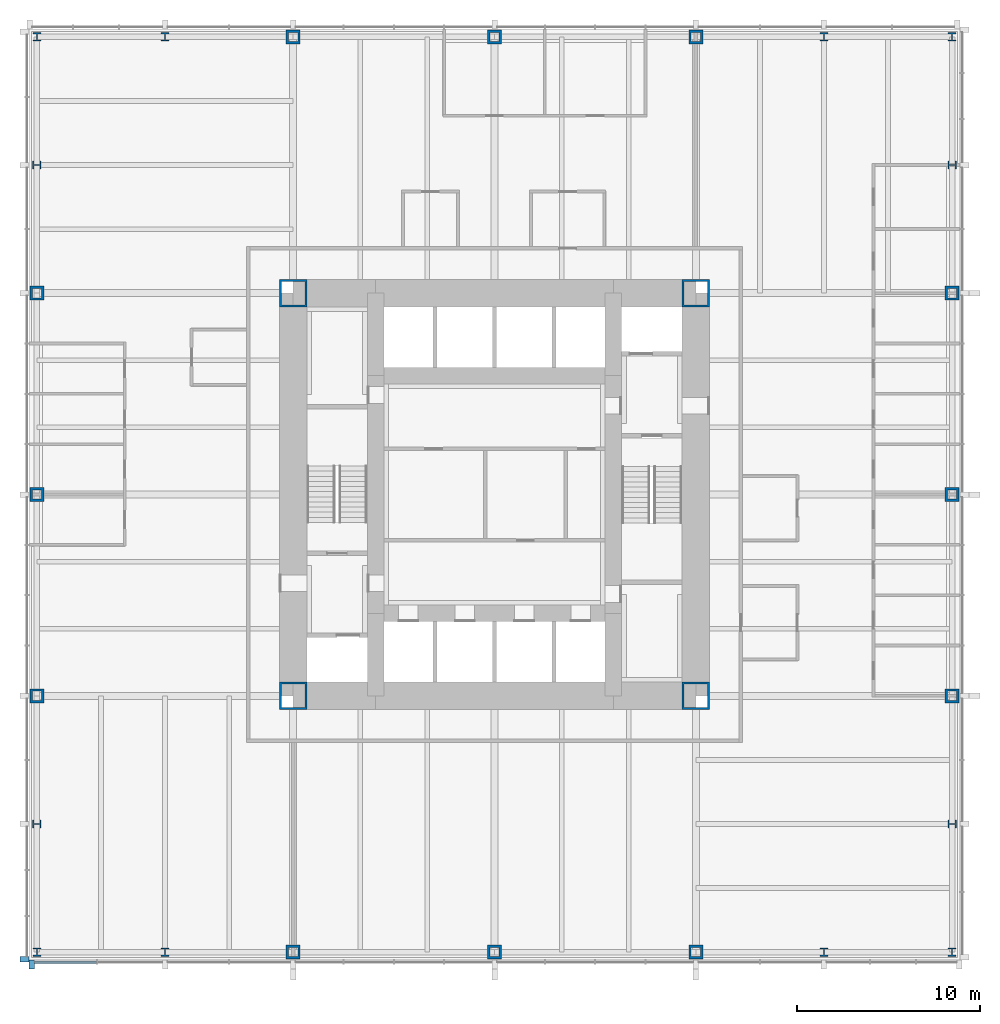
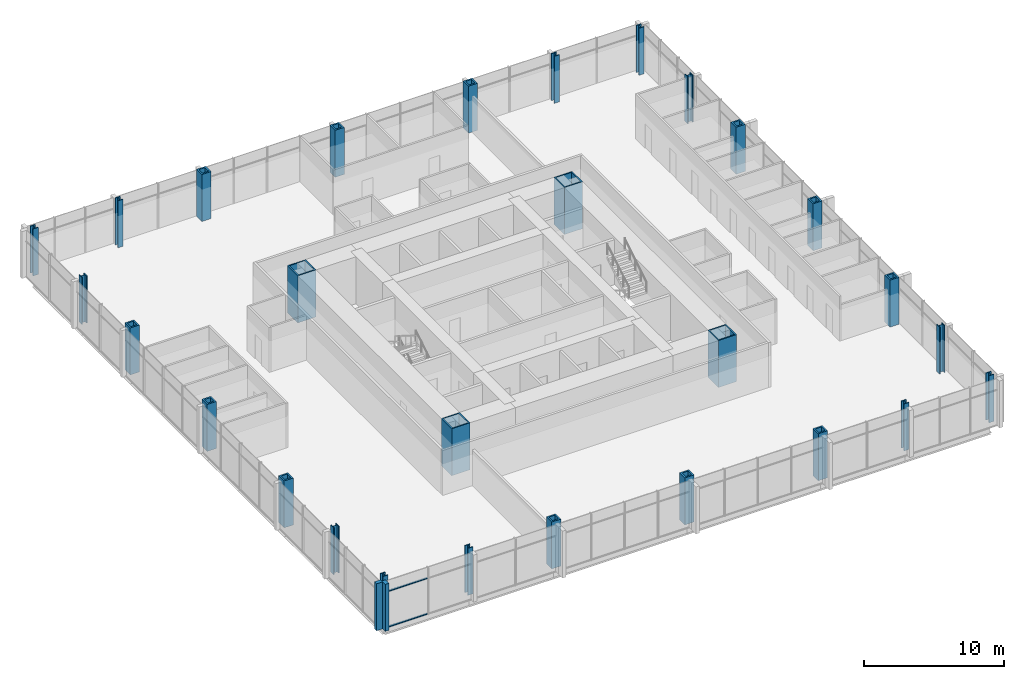
# One storey, part 1 of 12: 28 columns, 4 members, 2 elements without a shape of their own.
"""IFC4 building model written with IfcOpenShell, lengths in metres."""

from ifc_helpers import new_model, si_unit, direction, frame, origin, origin_2d, place, context, subcontext, project, spatial, rectangle, hollow_rectangle, i_section, extrude, material, material_profile, profile_set, type_object, element, aggregate, save


model = new_model("IFC4")

# Units and contexts
model_context = context("Model", 3, precision=1e-05, world=origin(), true_north=direction((0.0, 1.0)))
body_context = subcontext(model_context, "Body", "Model", "MODEL_VIEW")
ifc_project = project(units=[si_unit("LENGTHUNIT", "METRE"), si_unit("AREAUNIT", "SQUARE_METRE"), si_unit("VOLUMEUNIT", "CUBIC_METRE"), si_unit("PLANEANGLEUNIT", "RADIAN"), si_unit("MASSUNIT", "GRAM", prefix="KILO")], contexts=[model_context])

# Site, building, storey
site_placement = place(None, origin())
site = spatial("IfcSite", under=ifc_project, at=site_placement, CompositionType="ELEMENT")
building_placement = place(site_placement, origin())
building = spatial("IfcBuilding", under=site, at=building_placement, Name="Trevanion Tower", CompositionType="ELEMENT")
storey_placement = place(building_placement, frame((0.0, 0.0, 52.89990234375)))
storey = spatial("IfcBuildingStorey", under=building, at=storey_placement, Name="L12", CompositionType="ELEMENT", Elevation=52.89990234375)

# Columns
ifc_material_1 = material(Name="Steel ASTM A588 Grade 50", Category="steel")
ifc_material_profile_1 = material_profile(ifc_material_1, hollow_rectangle(XDim=0.761962890625, YDim=0.761962890625, WallThickness=0.126953125, at=origin_2d()), Name="BOX30X30X5")
ifc_profile_set_1 = profile_set([ifc_material_profile_1], Name="Steel ASTM A588 Grade 50")
column_type_1 = type_object("IfcColumnType", Name="C1 BOX30X30X5", PredefinedType="COLUMN", material=ifc_profile_set_1)
for number, where, z_axis, x_axis, name in (
    (1, (-25.0, 0.0, 0.0), (0.0, 0.0, 1.0), (0.0, 1.0, 0.0), "C1 3/H L12"),
    (2, (-25.0, -11.0, 0.0), (0.0, 0.0, 1.0), (0.0, 1.0, 0.0), "C1 3/F L12"),
    (3, (-11.0, -25.0, 0.0), (0.0, 0.0, 1.0), (1.0, 0.0, 0.0), "C1 8/A L12"),
    (4, (0.0, -25.0, 0.0), (0.0, 0.0, 1.0), (1.0, 0.0, 0.0), "C1 10/A L12"),
    (5, (11.0, -25.0, 0.0), (0.0, 0.0, 1.0), (1.0, 0.0, 0.0), "C1 12/A L12"),
    (6, (25.0, -11.0, 0.0), (0.0, 0.0, 1.0), (0.0, 1.0, 0.0), "C1 17/F L12"),
    (7, (25.0, 0.0, 0.0), (0.0, 0.0, 1.0), (0.0, 1.0, 0.0), "C1 17/H L12"),
    (8, (25.0, 11.0, 0.0), (0.0, 0.0, 1.0), (0.0, 1.0, 0.0), "C1 17/K L12"),
    (9, (11.0, 25.0, 0.0), (0.0, 0.0, 1.0), (1.0, 0.0, 0.0), "C1 12/Q L12"),
    (10, (0.0, 25.0, 0.0), (0.0, 0.0, 1.0), (1.0, 0.0, 0.0), "C1 10/Q L12"),
    (11, (-11.0, 25.0, 0.0), (0.0, 0.0, 1.0), (1.0, 0.0, 0.0), "C1 8/Q L12"),
    (12, (-25.0, 11.0, 0.0), (0.0, 0.0, 1.0), (0.0, 1.0, 0.0), "C1 3/K L12"),
):
    element("IfcColumn", number, at=place(storey_placement, frame(where, z_axis=z_axis, x_axis=x_axis)), inside=storey, type_object=column_type_1, Name=name, PredefinedType="COLUMN", context=body_context, shape_type="SweptSolid", body=[
        extrude(hollow_rectangle(XDim=0.761962890625, YDim=0.761962890625, WallThickness=0.126953125, at=origin_2d()), origin(), (0.0, 0.0, 1.0), 4.10009765625),
    ])
ifc_material_2 = material(Name="Steel ASTM A913 Grade 65", Category="steel")
ifc_material_profile_2 = material_profile(ifc_material_2, i_section(OverallWidth=0.421630859375, OverallDepth=0.46484375, WebThickness=0.044921875, FlangeThickness=0.072509765625, at=origin_2d()), Name="W14X398")
ifc_profile_set_2 = profile_set([ifc_material_profile_2], Name="Steel ASTM A913 Grade 65")
column_type_2 = type_object("IfcColumnType", Name="C2 W14X398", PredefinedType="COLUMN", material=ifc_profile_set_2)
for number, where, z_axis, x_axis, name in (
    (13, (-25.0, -18.0, 0.0), (0.0, 0.0, 1.0), (0.0, 1.0, 0.0), "C2 3/D L12"),
    (14, (-25.0, -25.0, 0.0), (0.0, 0.0, 1.0), (1.0, 0.0, 0.0), "C2 3/A L12"),
    (15, (-18.0, -25.0, 0.0), (0.0, 0.0, 1.0), (1.0, 0.0, 0.0), "C2 6/A L12"),
    (16, (18.0, -25.0, 0.0), (0.0, 0.0, 1.0), (1.0, 0.0, 0.0), "C2 14/A L12"),
    (17, (25.0, -25.0, 0.0), (0.0, 0.0, 1.0), (1.0, 0.0, 0.0), "C2 17/A L12"),
    (18, (25.0, -18.0, 0.0), (0.0, 0.0, 1.0), (0.0, 1.0, 0.0), "C2 17/D L12"),
    (19, (25.0, 18.0, 0.0), (0.0, 0.0, 1.0), (0.0, 1.0, 0.0), "C2 17/M L12"),
    (20, (25.0, 25.0, 0.0), (0.0, 0.0, 1.0), (1.0, 0.0, 0.0), "C2 17/Q L12"),
    (21, (18.0, 25.0, 0.0), (0.0, 0.0, 1.0), (1.0, 0.0, 0.0), "C2 14/Q L12"),
    (22, (-18.0, 25.0, 0.0), (0.0, 0.0, 1.0), (1.0, 0.0, 0.0), "C2 6/Q L12"),
    (23, (-25.0, 25.0, 0.0), (0.0, 0.0, 1.0), (1.0, 0.0, 0.0), "C2 3/Q L12"),
    (24, (-25.0, 18.0, 0.0), (0.0, 0.0, 1.0), (0.0, 1.0, 0.0), "C2 3/M L12"),
):
    element("IfcColumn", number, at=place(storey_placement, frame(where, z_axis=z_axis, x_axis=x_axis)), inside=storey, type_object=column_type_2, Name=name, PredefinedType="COLUMN", context=body_context, shape_type="SweptSolid", body=[
        extrude(i_section(OverallWidth=0.421630859375, OverallDepth=0.46484375, WebThickness=0.044921875, FlangeThickness=0.072509765625, at=origin_2d()), origin(), (0.0, 0.0, 1.0), 4.10009765625),
    ])
ifc_material_3 = material(Name="Steel ASTM A572 Grade 50", Category="steel")
ifc_material_profile_3 = material_profile(ifc_material_3, hollow_rectangle(XDim=1.49853515625, YDim=1.49853515625, WallThickness=0.1015625, at=origin_2d()), Name="BOX59X59X4")
ifc_profile_set_3 = profile_set([ifc_material_profile_3], Name="Steel ASTM A572 Grade 50")
column_type_3 = type_object("IfcColumnType", Name="CB1 BOX59X59X4", PredefinedType="COLUMN", material=ifc_profile_set_3)
for number, where, z_axis, x_axis, name in (
    (25, (11.0, 11.0, 0.0), (0.0, 0.0, 1.0), (1.0, 0.0, 0.0), "CB1 NE L12"),
    (26, (-11.0, 11.0, 0.0), (0.0, 0.0, 1.0), (1.0, 0.0, 0.0), "CB1 NW L12"),
    (27, (-11.0, -11.0, 0.0), (0.0, 0.0, 1.0), (1.0, 0.0, 0.0), "CB1 SW L12"),
    (28, (11.0, -11.0, 0.0), (0.0, 0.0, 1.0), (1.0, 0.0, 0.0), "CB1 SE L12"),
):
    element("IfcColumn", number, at=place(storey_placement, frame(where, z_axis=z_axis, x_axis=x_axis)), inside=storey, type_object=column_type_3, Name=name, PredefinedType="COLUMN", context=body_context, shape_type="SweptSolid", body=[
        extrude(hollow_rectangle(XDim=1.49853515625, YDim=1.49853515625, WallThickness=0.1015625, at=origin_2d()), origin(), (0.0, 0.0, 1.0), 4.10009765625),
    ])

# Curtain wall, member
ifc_material_4 = material(Name="Aluminium and glass", Category="aluminium")
curtain_wall_type = type_object("IfcCurtainWallType", Name="CW1 curtain wall", PredefinedType="USERDEFINED", material=ifc_material_4)
curtain_wall_1_placement = place(storey_placement, origin())
curtain_wall_1 = element("IfcCurtainWall", 29, at=curtain_wall_1_placement, inside=storey, type_object=curtain_wall_type, Name="CW1 L12 2", ObjectType="UNITISED CURTAIN WALL", PredefinedType="USERDEFINED")
ifc_material_5 = material(Name="Aluminium extrusion, anodised bronze", Category="aluminium")
ifc_material_profile_4 = material_profile(ifc_material_5, rectangle(XDim=0.300048828125, YDim=0.5, at=origin_2d()), Name="CW1 pier mullion")
ifc_profile_set_4 = profile_set([ifc_material_profile_4], Name="Aluminium extrusion, anodised bronze")
member_type_1 = type_object("IfcMemberType", Name="CW1 pier mullion", PredefinedType="MULLION", material=ifc_profile_set_4)
member_1_placement = place(storey_placement, frame((-25.675048828125, -25.39990234375, -0.18994140625), z_axis=(0.0, 0.0, 1.0), x_axis=(0.0, -1.0, 0.0)))
member_1 = element("IfcMember", 30, at=member_1_placement, type_object=member_type_1, Name="CW1 pier mullion 18", PredefinedType="MULLION", context=body_context, shape_type="SweptSolid", body=[
    extrude(rectangle(XDim=0.300048828125, YDim=0.5, at=origin_2d()), origin(), (0.0, 0.0, 1.0), 4.10009765625),
])
aggregate(curtain_wall_1, [member_1])

# Curtain wall, members
curtain_wall_2_placement = place(storey_placement, origin())
curtain_wall_2 = element("IfcCurtainWall", 31, at=curtain_wall_2_placement, inside=storey, type_object=curtain_wall_type, Name="CW1 L12 3", ObjectType="UNITISED CURTAIN WALL", PredefinedType="USERDEFINED")
member_2_placement = place(storey_placement, frame((-25.27001953125, -25.675048828125, -0.18994140625), z_axis=(0.0, 0.0, 1.0), x_axis=(1.0, 0.0, 0.0)))
member_2 = element("IfcMember", 32, at=member_2_placement, type_object=member_type_1, Name="CW1 pier mullion 1", PredefinedType="MULLION", context=body_context, shape_type="SweptSolid", body=[
    extrude(rectangle(XDim=0.300048828125, YDim=0.5, at=origin_2d()), origin(), (0.0, 0.0, 1.0), 4.10009765625),
])
ifc_material_6 = material(Name="Aluminium extrusion, anodised bronze", Category="aluminium")
ifc_material_profile_5 = material_profile(ifc_material_6, rectangle(XDim=0.14990234375, YDim=0.074951171875, at=origin_2d()), Name="CW1 transom")
ifc_profile_set_5 = profile_set([ifc_material_profile_5], Name="Aluminium extrusion, anodised bronze")
member_type_2 = type_object("IfcMemberType", Name="CW1 transom", PredefinedType="USERDEFINED", material=ifc_profile_set_5)
member_3_placement = place(storey_placement, frame((-25.1201171875, -25.550048828125, -0.15234375), z_axis=(1.0, 0.0, 0.0), x_axis=(0.0, 1.0, 0.0)))
member_3 = element("IfcMember", 33, at=member_3_placement, type_object=member_type_2, Name="CW1 transom 1.1", ObjectType="TRANSOM", PredefinedType="USERDEFINED", context=body_context, shape_type="SweptSolid", body=[
    extrude(rectangle(XDim=0.14990234375, YDim=0.074951171875, at=origin_2d()), origin(), (0.0, 0.0, 1.0), 3.37255859375),
])
member_4_placement = place(storey_placement, frame((-25.1201171875, -25.550048828125, 2.960205078125), z_axis=(1.0, 0.0, 0.0), x_axis=(0.0, 1.0, 0.0)))
member_4 = element("IfcMember", 34, at=member_4_placement, type_object=member_type_2, Name="CW1 transom 1.2", ObjectType="TRANSOM", PredefinedType="USERDEFINED", context=body_context, shape_type="SweptSolid", body=[
    extrude(rectangle(XDim=0.14990234375, YDim=0.074951171875, at=origin_2d()), origin(), (0.0, 0.0, 1.0), 3.37255859375),
])
aggregate(curtain_wall_2, [member_2, member_3, member_4])

save(model, "model.ifc")
